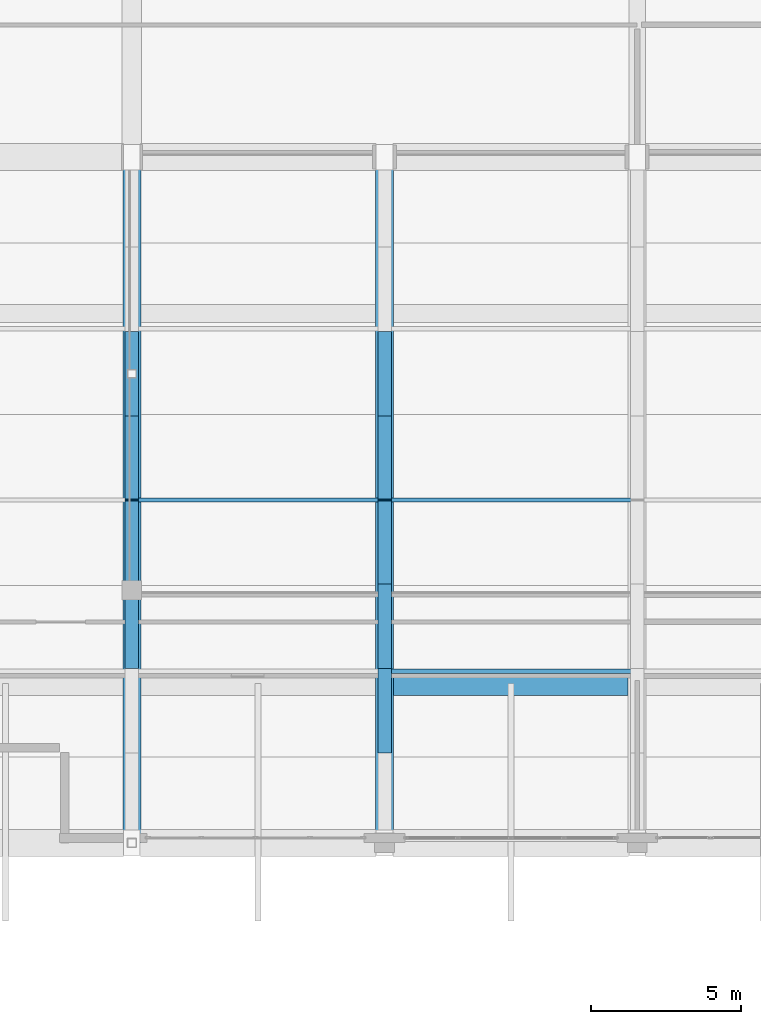
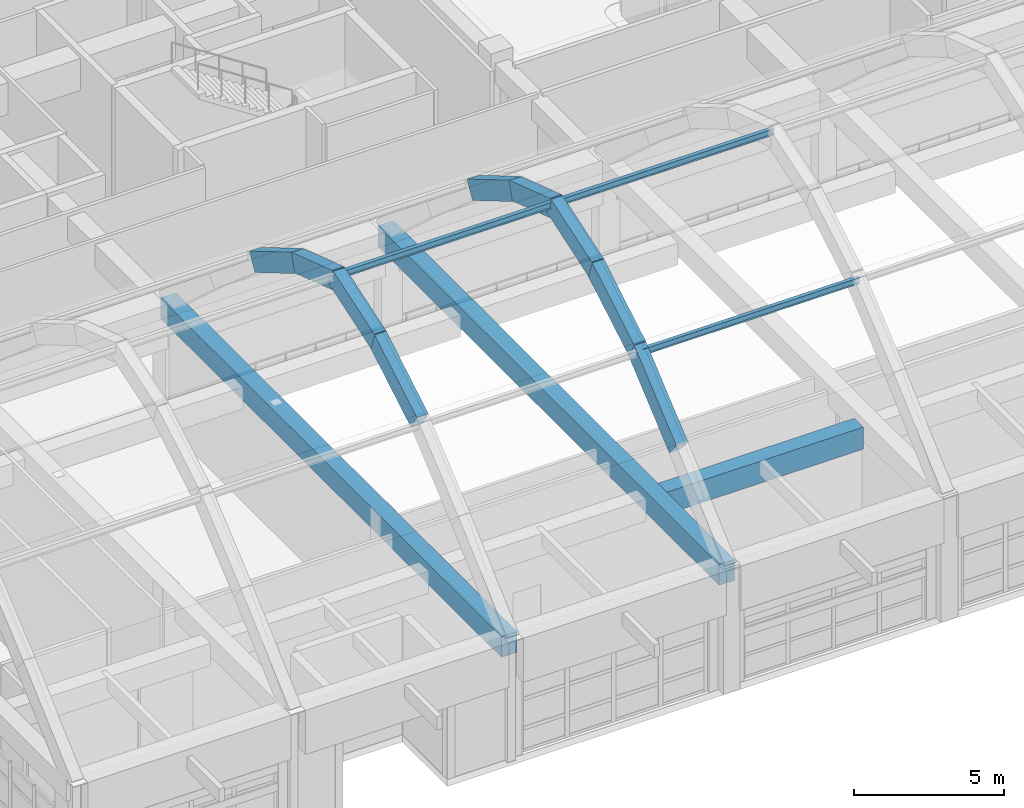
# One storey, part 40 of 103: 12 beams, 3 members.
"""IFC4 building model written with IfcOpenShell, lengths in metres."""

from ifc_helpers import new_model, si_unit, direction, frame, origin, origin_2d, place, context, subcontext, project, spatial, rectangle, i_section, extrude, material, material_profile, profile_set, type_object, element, save


model = new_model("IFC4")

# Units and contexts
model_context = context("Model", 3, precision=1e-05, world=origin(), true_north=direction((0.0, 1.0)))
body_context = subcontext(model_context, "Body", "Model", "MODEL_VIEW")
ifc_project = project(units=[si_unit("LENGTHUNIT", "METRE"), si_unit("AREAUNIT", "SQUARE_METRE"), si_unit("VOLUMEUNIT", "CUBIC_METRE"), si_unit("PLANEANGLEUNIT", "RADIAN"), si_unit("MASSUNIT", "GRAM", prefix="KILO")], contexts=[model_context])

# Site, building, storey
site_placement = place(None, origin())
site = spatial("IfcSite", under=ifc_project, at=site_placement, CompositionType="ELEMENT")
building_placement = place(site_placement, origin())
building = spatial("IfcBuilding", under=site, at=building_placement, Name="Quendrovan Civic Courthouse", CompositionType="ELEMENT")
storey_placement = place(building_placement, frame((0.0, 0.0, 15.300048828125)))
storey = spatial("IfcBuildingStorey", under=building, at=storey_placement, Name="L04", CompositionType="ELEMENT", Elevation=15.300048828125)

# Beams
ifc_material_1 = material(Name="Post-tensioned concrete C50/60", Category="concrete")
ifc_material_profile_1 = material_profile(ifc_material_1, rectangle(XDim=0.60009765625, YDim=0.85009765625, at=origin_2d()), Name="PT-TIE-600x850")
ifc_profile_set_1 = profile_set([ifc_material_profile_1], Name="Post-tensioned concrete C50/60")
beam_type_1 = type_object("IfcBeamType", Name="BM-PTTIE850", PredefinedType="BEAM", material=ifc_profile_set_1)
for number, where, z_axis, x_axis, name in (
    (1, (50.39990234375, 64.800048828125, 4.675048828125), (0.0, 1.0, 0.0), (-1.0, 0.0, 0.0), "BV2 Vault Post-Tensioned Tie Beam A3"),
    (2, (58.800048828125, 64.800048828125, 4.675048828125), (0.0, 1.0, 0.0), (-1.0, 0.0, 0.0), "BV2 Vault Post-Tensioned Tie Beam A4"),
):
    element("IfcBeam", number, at=place(storey_placement, frame(where, z_axis=z_axis, x_axis=x_axis)), inside=storey, type_object=beam_type_1, Name=name, PredefinedType="BEAM", context=body_context, shape_type="SweptSolid", body=[
        extrude(rectangle(XDim=0.60009765625, YDim=0.85009765625, at=origin_2d()), origin(), (0.0, 0.0, 1.0), 22.800048828125),
    ])
ifc_material_2 = material(Name="Concrete C40/50", Category="concrete")
ifc_material_profile_2 = material_profile(ifc_material_2, rectangle(XDim=0.60009765625, YDim=0.89990234375, at=origin_2d()), Name="RC-BM-600x900")
ifc_profile_set_2 = profile_set([ifc_material_profile_2], Name="Concrete C40/50")
beam_type_2 = type_object("IfcBeamType", Name="BM-RC900", PredefinedType="BEAM", material=ifc_profile_set_2)
beam_1_placement = place(storey_placement, frame((59.10009765625, 70.0, 4.349853515625), z_axis=(1.0, 0.0, 0.0), x_axis=(0.0, 1.0, 0.0)))
element("IfcBeam", 3, at=beam_1_placement, inside=storey, type_object=beam_type_2, Name="BV2 Eave Backspan Collector Beam S-B4", PredefinedType="BEAM", context=body_context, shape_type="SweptSolid", body=[
    extrude(rectangle(XDim=0.60009765625, YDim=0.89990234375, at=origin_2d()), origin(), (0.0, 0.0, 1.0), 7.7998046875),
])
ifc_material_profile_3 = material_profile(ifc_material_2, rectangle(XDim=0.449951171875, YDim=0.75, at=origin_2d()), Name="RC-VRIB-450x750")
ifc_profile_set_3 = profile_set([ifc_material_profile_3], Name="Concrete C40/50")
beam_type_3 = type_object("IfcBeamType", Name="BM-VRIB750", PredefinedType="BEAM", material=ifc_profile_set_3)
beam_2_placement = place(storey_placement, frame((50.39990234375, 70.7919921875, 10.1806640625), z_axis=(0.0, 0.861355141515, 0.508003267889), x_axis=(-1.0, 0.0, 0.0)))
element("IfcBeam", 4, at=beam_2_placement, inside=storey, type_object=beam_type_3, Name="BV2 Concrete Vault Arch Rib A3-C3", PredefinedType="BEAM", context=body_context, shape_type="SweptSolid", body=[
    extrude(rectangle(XDim=0.449951171875, YDim=0.75, at=origin_2d()), origin(), (0.0, 0.0, 1.0), 3.308837890625),
])
for number, where, z_axis, x_axis, name in (
    (5, (50.39990234375, 73.531494140625, 11.811279296875), (0.0, 0.948848042791, 0.315733101989), (-1.0, 0.0, 0.0), "BV2 Concrete Vault Arch Rib A3-C4"),
    (6, (50.39990234375, 76.05859375, 12.746337890625), (0.0, 0.948839823913, -0.315757800468), (-1.0, 0.0, 0.0), "BV2 Concrete Vault Arch Rib A3-C5"),
):
    element("IfcBeam", number, at=place(storey_placement, frame(where, z_axis=z_axis, x_axis=x_axis)), inside=storey, type_object=beam_type_3, Name=name, PredefinedType="BEAM", context=body_context, shape_type="SweptSolid", body=[
        extrude(rectangle(XDim=0.449951171875, YDim=0.75, at=origin_2d()), origin(), (0.0, 0.0, 1.0), 2.96142578125),
    ])
beam_3_placement = place(storey_placement, frame((50.39990234375, 78.7578125, 11.861572265625), z_axis=(0.0, 0.861355141515, -0.508003267889), x_axis=(-1.0, 0.0, 0.0)))
element("IfcBeam", 7, at=beam_3_placement, inside=storey, type_object=beam_type_3, Name="BV2 Concrete Vault Arch Rib A3-C6", PredefinedType="BEAM", context=body_context, shape_type="SweptSolid", body=[
    extrude(rectangle(XDim=0.449951171875, YDim=0.75, at=origin_2d()), origin(), (0.0, 0.0, 1.0), 3.308837890625),
])
beam_4_placement = place(storey_placement, frame((58.800048828125, 68.022216796875, 7.818603515625), z_axis=(0.0, 0.762391958025, 0.647115524724), x_axis=(-1.0, 0.0, 0.0)))
element("IfcBeam", 8, at=beam_4_placement, inside=storey, type_object=beam_type_3, Name="BV2 Concrete Vault Arch Rib A4-C2", PredefinedType="BEAM", context=body_context, shape_type="SweptSolid", body=[
    extrude(rectangle(XDim=0.449951171875, YDim=0.75, at=origin_2d()), origin(), (0.0, 0.0, 1.0), 3.738037109375),
])
beam_5_placement = place(storey_placement, frame((58.800048828125, 70.7919921875, 10.1806640625), z_axis=(0.0, 0.861355141515, 0.508003267889), x_axis=(-1.0, 0.0, 0.0)))
element("IfcBeam", 9, at=beam_5_placement, inside=storey, type_object=beam_type_3, Name="BV2 Concrete Vault Arch Rib A4-C3", PredefinedType="BEAM", context=body_context, shape_type="SweptSolid", body=[
    extrude(rectangle(XDim=0.449951171875, YDim=0.75, at=origin_2d()), origin(), (0.0, 0.0, 1.0), 3.308837890625),
])
for number, where, z_axis, x_axis, name in (
    (10, (58.800048828125, 73.531494140625, 11.811279296875), (0.0, 0.948848042791, 0.315733101989), (-1.0, 0.0, 0.0), "BV2 Concrete Vault Arch Rib A4-C4"),
    (11, (58.800048828125, 76.05859375, 12.746337890625), (0.0, 0.948839823913, -0.315757800468), (-1.0, 0.0, 0.0), "BV2 Concrete Vault Arch Rib A4-C5"),
):
    element("IfcBeam", number, at=place(storey_placement, frame(where, z_axis=z_axis, x_axis=x_axis)), inside=storey, type_object=beam_type_3, Name=name, PredefinedType="BEAM", context=body_context, shape_type="SweptSolid", body=[
        extrude(rectangle(XDim=0.449951171875, YDim=0.75, at=origin_2d()), origin(), (0.0, 0.0, 1.0), 2.96142578125),
    ])
beam_6_placement = place(storey_placement, frame((58.800048828125, 78.7578125, 11.861572265625), z_axis=(0.0, 0.861355141515, -0.508003267889), x_axis=(-1.0, 0.0, 0.0)))
element("IfcBeam", 12, at=beam_6_placement, inside=storey, type_object=beam_type_3, Name="BV2 Concrete Vault Arch Rib A4-C6", PredefinedType="BEAM", context=body_context, shape_type="SweptSolid", body=[
    extrude(rectangle(XDim=0.449951171875, YDim=0.75, at=origin_2d()), origin(), (0.0, 0.0, 1.0), 3.308837890625),
])

# Members
ifc_material_3 = material(Name="Steel ASTM A992 Grade 50", Category="steel")
ifc_material_profile_4 = material_profile(ifc_material_3, i_section(OverallWidth=0.14599609375, OverallDepth=0.258056640625, WebThickness=0.006103515625, FlangeThickness=0.009033203125, at=origin_2d()), Name="W250x33")
ifc_profile_set_4 = profile_set([ifc_material_profile_4], Name="Steel ASTM A992 Grade 50")
member_type = type_object("IfcMemberType", Name="MEM-PUR-W250", PredefinedType="PURLIN", material=ifc_profile_set_4)
member_placement = place(storey_placement, frame((50.39990234375, 76.199951171875, 12.85986328125), z_axis=(1.0, 0.0, 0.0), x_axis=(0.0, 1.0, 0.0)))
element("IfcMember", 13, at=member_placement, inside=storey, type_object=member_type, Name="BV2 Vault Longitudinal Purlin B3-2", PredefinedType="PURLIN", context=body_context, shape_type="SweptSolid", body=[
    extrude(i_section(OverallWidth=0.14599609375, OverallDepth=0.258056640625, WebThickness=0.006103515625, FlangeThickness=0.009033203125, at=origin_2d()), origin(), (0.0, 0.0, 1.0), 8.400146484375),
])
for number, where, z_axis, x_axis, name in (
    (14, (58.800048828125, 70.5, 10.23583984375), (1.0, 0.0, 0.0), (0.0, 1.0, 0.0), "BV2 Vault Longitudinal Purlin B4-1"),
    (15, (58.800048828125, 76.199951171875, 12.85986328125), (1.0, 0.0, 0.0), (0.0, 1.0, 0.0), "BV2 Vault Longitudinal Purlin B4-2"),
):
    element("IfcMember", number, at=place(storey_placement, frame(where, z_axis=z_axis, x_axis=x_axis)), inside=storey, type_object=member_type, Name=name, PredefinedType="PURLIN", context=body_context, shape_type="SweptSolid", body=[
        extrude(i_section(OverallWidth=0.14599609375, OverallDepth=0.258056640625, WebThickness=0.006103515625, FlangeThickness=0.009033203125, at=origin_2d()), origin(), (0.0, 0.0, 1.0), 8.39990234375),
    ])

save(model, "model.ifc")
